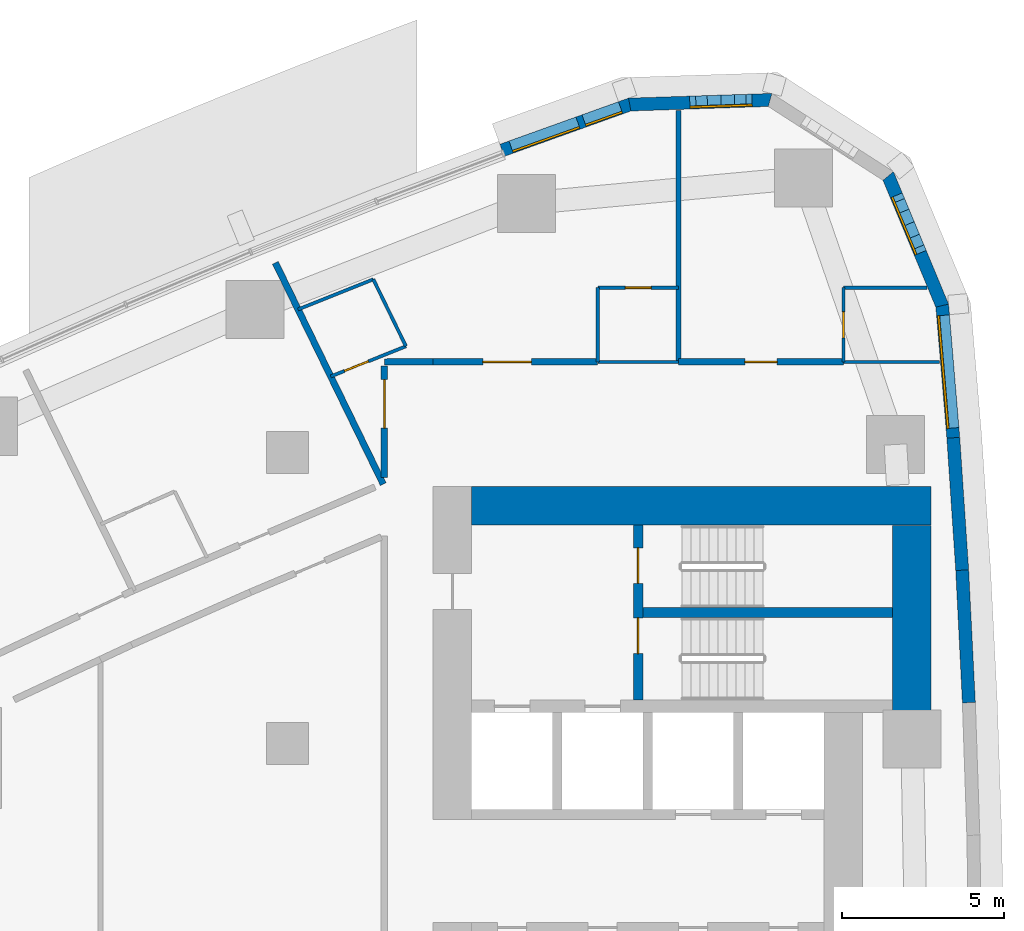
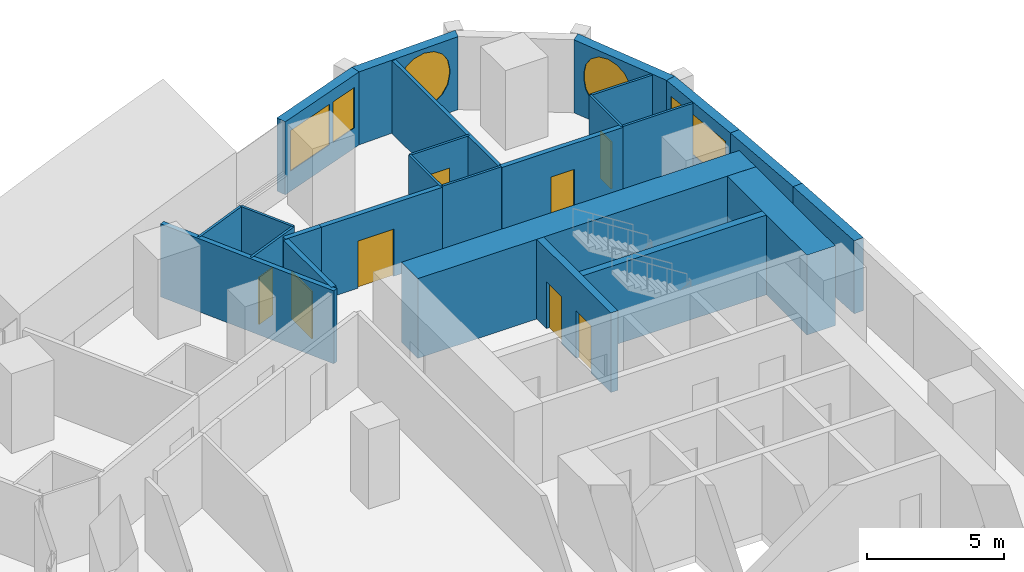
# One storey, part 13 of 19: 25 walls, 8 doors, 5 windows, 13 openings.
"""IFC4 building model written with IfcOpenShell, lengths in metres."""

from ifc_helpers import new_model, si_unit, direction, frame, frame_2d, origin, place, context, subcontext, project, spatial, polyline, rectangle, outline, extrude, material, layer, layer_set, type_object, element, fill, save


model = new_model("IFC4")

# Units and contexts
model_context = context("Model", 3, precision=1e-05, world=origin(), true_north=direction((0.0, 1.0)))
body_context = subcontext(model_context, "Body", "Model", "MODEL_VIEW")
ifc_project = project(units=[si_unit("LENGTHUNIT", "METRE"), si_unit("AREAUNIT", "SQUARE_METRE"), si_unit("VOLUMEUNIT", "CUBIC_METRE"), si_unit("PLANEANGLEUNIT", "RADIAN"), si_unit("MASSUNIT", "GRAM", prefix="KILO")], contexts=[model_context])

# Site, building, storey
site_placement = place(None, origin())
site = spatial("IfcSite", under=ifc_project, at=site_placement, CompositionType="ELEMENT")
building_placement = place(site_placement, origin())
building = spatial("IfcBuilding", under=site, at=building_placement, Name="Ostrand Prow Hotel Tower", CompositionType="ELEMENT")
storey_placement = place(building_placement, frame((0.0, 0.0, 50.25)))
storey = spatial("IfcBuildingStorey", under=building, at=storey_placement, Name="L10", CompositionType="ELEMENT", Elevation=50.25)

# Walls
ifc_material_1 = material(Name="Concrete C80/95", Category="concrete")
ifc_layer_1 = layer(ifc_material_1, 1.199951171875)
ifc_layer_set_1 = layer_set([ifc_layer_1], Name="Concrete C80/95")
wall_type_1 = type_object("IfcWallType", Name="Core wall 1200 C80/95", PredefinedType="SHEAR", material=ifc_layer_set_1)
wall_1_placement = place(storey_placement, frame((50.699951171875, 16.35009765625, 0.0), z_axis=(0.0, 0.0, 1.0), x_axis=(1.0, 0.0, 0.0)))
element("IfcWall", 1, at=wall_1_placement, inside=storey, type_object=wall_type_1, Name="Core wall CW-N", PredefinedType="SHEAR", context=body_context, shape_type="SweptSolid", body=[
    extrude(rectangle(XDim=14.219970703125, YDim=1.199951171875, at=frame_2d((7.10986328125, 0.0))), origin(), (0.0, 0.0, 1.0), 3.550048828125),
])
wall_2_placement = place(storey_placement, frame((64.320068359375, 9.949951171875, 0.0), z_axis=(0.0, 0.0, 1.0), x_axis=(0.0, 1.0, 0.0)))
element("IfcWall", 2, at=wall_2_placement, inside=storey, type_object=wall_type_1, Name="Core wall CW-E-N", PredefinedType="SHEAR", context=body_context, shape_type="SweptSolid", body=[
    extrude(rectangle(XDim=5.800048828125, YDim=1.199951171875, at=frame_2d((2.89990234375, 0.0))), origin(), (0.0, 0.0, 1.0), 3.550048828125),
])

# Wall, openings, doors
ifc_material_2 = material(Name="Concrete C80/95", Category="concrete")
ifc_layer_2 = layer(ifc_material_2, 0.300048828125)
ifc_layer_set_2 = layer_set([ifc_layer_2], Name="Concrete C80/95")
wall_type_2 = type_object("IfcWallType", Name="Core wall 300 C80/95", PredefinedType="SHEAR", material=ifc_layer_set_2)
wall_3_placement = place(storey_placement, frame((55.85009765625, 10.35009765625, 0.0), z_axis=(0.0, 0.0, 1.0), x_axis=(0.0, 1.0, 0.0)))
wall_3 = element("IfcWall", 3, at=wall_3_placement, inside=storey, type_object=wall_type_2, Name="Core wall PW-VN", PredefinedType="SHEAR", context=body_context, shape_type="SweptSolid", body=[
    extrude(rectangle(XDim=5.39990234375, YDim=0.300048828125, at=frame_2d((2.699951171875, 0.0))), origin(), (0.0, 0.0, 1.0), 3.550048828125),
])
opening_1_placement = place(wall_3_placement, frame((1.429931640625, 0.0, 0.0)))
opening_1 = element("IfcOpeningElement", 4, at=opening_1_placement, cuts=wall_3, Name="Opening FD1", PredefinedType="OPENING", context=body_context, shape_type="SweptSolid", body=[
    extrude(rectangle(XDim=1.10009765625, YDim=2.10009765625, at=frame_2d((0.550048828125, 1.050048828125))), frame((0.0, 0.159912109375, 0.0), z_axis=(0.0, -1.0, 0.0), x_axis=(1.0, 0.0, 0.0)), (0.0, 0.0, 1.0), 0.320068359375),
])
opening_2_placement = place(wall_3_placement, frame((3.60009765625, 0.0, 0.0)))
opening_2 = element("IfcOpeningElement", 5, at=opening_2_placement, cuts=wall_3, Name="Opening FD1", PredefinedType="OPENING", context=body_context, shape_type="SweptSolid", body=[
    extrude(rectangle(XDim=1.10009765625, YDim=2.10009765625, at=frame_2d((0.550048828125, 1.050048828125))), frame((0.0, 0.159912109375, 0.0), z_axis=(0.0, -1.0, 0.0), x_axis=(1.0, 0.0, 0.0)), (0.0, 0.0, 1.0), 0.320068359375),
])
ifc_material_3 = material(Name="Steel fire door", Category="steel")
door_type_1 = type_object("IfcDoorType", Name="Fire door 1100 EI120", OperationType="SINGLE_SWING_RIGHT", PredefinedType="DOOR", material=ifc_material_3)
door_1_placement = place(opening_1_placement, origin())
door_1 = element("IfcDoor", 6, at=door_1_placement, inside=storey, type_object=door_type_1, Name="FIRE DOOR", OperationType="SINGLE_SWING_RIGHT", OverallHeight=2.10009765625, OverallWidth=1.10009765625, PredefinedType="DOOR", context=body_context, shape_type="SweptSolid", body=[
    extrude(rectangle(XDim=1.10009765625, YDim=2.10009765625, at=frame_2d((0.550048828125, 1.050048828125))), frame((0.0, 0.02490234375, 0.0), z_axis=(0.0, -1.0, 0.0), x_axis=(1.0, 0.0, 0.0)), (0.0, 0.0, 1.0), 0.050048828125),
])
fill(opening_1, door_1)
door_2_placement = place(opening_2_placement, origin())
door_2 = element("IfcDoor", 7, at=door_2_placement, inside=storey, type_object=door_type_1, Name="FIRE DOOR", OperationType="SINGLE_SWING_RIGHT", OverallHeight=2.10009765625, OverallWidth=1.10009765625, PredefinedType="DOOR", context=body_context, shape_type="SweptSolid", body=[
    extrude(rectangle(XDim=1.10009765625, YDim=2.10009765625, at=frame_2d((0.550048828125, 1.050048828125))), frame((0.0, 0.02490234375, 0.0), z_axis=(0.0, -1.0, 0.0), x_axis=(1.0, 0.0, 0.0)), (0.0, 0.0, 1.0), 0.050048828125),
])
fill(opening_2, door_2)

# Walls
wall_4_placement = place(storey_placement, frame((56.0, 13.050048828125, 0.0), z_axis=(0.0, 0.0, 1.0), x_axis=(1.0, 0.0, 0.0)))
element("IfcWall", 8, at=wall_4_placement, inside=storey, type_object=wall_type_2, Name="Core wall PW-ST13", PredefinedType="SHEAR", context=body_context, shape_type="SweptSolid", body=[
    extrude(rectangle(XDim=7.719970703125, YDim=0.300048828125, at=frame_2d((3.85986328125, 0.0))), origin(), (0.0, 0.0, 1.0), 3.550048828125),
])
ifc_material_4 = material(Name="Plasterboard partition")
ifc_layer_3 = layer(ifc_material_4, 0.10009765625)
ifc_layer_set_3 = layer_set([ifc_layer_3], Name="Plasterboard partition")
wall_type_3 = type_object("IfcWallType", Name="Partition 100 bathroom wall", PredefinedType="PARTITIONING", material=ifc_layer_set_3)
wall_5_placement = place(storey_placement, frame((54.601806640625, 20.800048828125, 0.0), z_axis=(0.0, 0.0, 1.0), x_axis=(0.0, 1.0, 0.0)))
element("IfcWall", 9, at=wall_5_placement, inside=storey, type_object=wall_type_3, Name="BATHROOM WALL", PredefinedType="PARTITIONING", context=body_context, shape_type="SweptSolid", body=[
    extrude(rectangle(XDim=2.300048828125, YDim=0.10009765625, at=frame_2d((1.14990234375, 0.0))), origin(), (0.0, 0.0, 1.0), 3.25),
])

# Wall, opening, door
wall_6_placement = place(storey_placement, frame((54.601806640625, 23.10009765625, 0.0), z_axis=(0.0, 0.0, 1.0), x_axis=(1.0, 0.0, 0.0)))
wall_6 = element("IfcWall", 10, at=wall_6_placement, inside=storey, type_object=wall_type_3, Name="BATHROOM WALL", PredefinedType="PARTITIONING", context=body_context, shape_type="SweptSolid", body=[
    extrude(rectangle(XDim=2.5, YDim=0.10009765625, at=frame_2d((1.25, 0.0))), origin(), (0.0, 0.0, 1.0), 3.25),
])
opening_3_placement = place(wall_6_placement, frame((0.85009765625, 0.0, 0.0)))
opening_3 = element("IfcOpeningElement", 11, at=opening_3_placement, cuts=wall_6, Name="Opening D2", PredefinedType="OPENING", context=body_context, shape_type="SweptSolid", body=[
    extrude(rectangle(XDim=0.800048828125, YDim=2.10009765625, at=frame_2d((0.39990234375, 1.050048828125))), frame((0.0, 0.06005859375, 0.0), z_axis=(0.0, -1.0, 0.0), x_axis=(1.0, 0.0, 0.0)), (0.0, 0.0, 1.0), 0.1201171875),
])
ifc_material_5 = material(Name="Timber door leaf", Category="wood")
door_type_2 = type_object("IfcDoorType", Name="Bathroom door 800", OperationType="SINGLE_SWING_LEFT", PredefinedType="DOOR", material=ifc_material_5)
door_3_placement = place(opening_3_placement, origin())
door_3 = element("IfcDoor", 12, at=door_3_placement, inside=storey, type_object=door_type_2, Name="DOOR", OperationType="SINGLE_SWING_LEFT", OverallHeight=2.10009765625, OverallWidth=0.800048828125, PredefinedType="DOOR", context=body_context, shape_type="SweptSolid", body=[
    extrude(rectangle(XDim=0.800048828125, YDim=2.10009765625, at=frame_2d((0.39990234375, 1.050048828125))), frame((0.0, 0.02490234375, 0.0), z_axis=(0.0, -1.0, 0.0), x_axis=(1.0, 0.0, 0.0)), (0.0, 0.0, 1.0), 0.050048828125),
])
fill(opening_3, door_3)

wall_7_placement = place(storey_placement, frame((62.203369140625, 20.800048828125, 0.0), z_axis=(0.0, 0.0, 1.0), x_axis=(0.0, 1.0, 0.0)))
wall_7 = element("IfcWall", 13, at=wall_7_placement, inside=storey, type_object=wall_type_3, Name="BATHROOM WALL", PredefinedType="PARTITIONING", context=body_context, shape_type="SweptSolid", body=[
    extrude(rectangle(XDim=2.300048828125, YDim=0.10009765625, at=frame_2d((1.14990234375, 0.0))), origin(), (0.0, 0.0, 1.0), 3.25),
])
opening_4_placement = place(wall_7_placement, frame((0.75, 0.0, 0.0)))
opening_4 = element("IfcOpeningElement", 14, at=opening_4_placement, cuts=wall_7, Name="Opening D2", PredefinedType="OPENING", context=body_context, shape_type="SweptSolid", body=[
    extrude(rectangle(XDim=0.800048828125, YDim=2.10009765625, at=frame_2d((0.39990234375, 1.050048828125))), frame((0.0, 0.06005859375, 0.0), z_axis=(0.0, -1.0, 0.0), x_axis=(1.0, 0.0, 0.0)), (0.0, 0.0, 1.0), 0.1201171875),
])
door_4_placement = place(opening_4_placement, origin())
door_4 = element("IfcDoor", 15, at=door_4_placement, inside=storey, type_object=door_type_2, Name="DOOR", OperationType="SINGLE_SWING_LEFT", OverallHeight=2.10009765625, OverallWidth=0.800048828125, PredefinedType="DOOR", context=body_context, shape_type="SweptSolid", body=[
    extrude(rectangle(XDim=0.800048828125, YDim=2.10009765625, at=frame_2d((0.39990234375, 1.050048828125))), frame((0.0, 0.02490234375, 0.0), z_axis=(0.0, -1.0, 0.0), x_axis=(1.0, 0.0, 0.0)), (0.0, 0.0, 1.0), 0.050048828125),
])
fill(opening_4, door_4)

# Walls
wall_8_placement = place(storey_placement, frame((62.203369140625, 23.10009765625, 0.0), z_axis=(0.0, 0.0, 1.0), x_axis=(1.0, 0.0, 0.0)))
element("IfcWall", 16, at=wall_8_placement, inside=storey, type_object=wall_type_3, Name="BATHROOM WALL", PredefinedType="PARTITIONING", context=body_context, shape_type="SweptSolid", body=[
    extrude(rectangle(XDim=2.578125, YDim=0.10009765625, at=frame_2d((1.2890625, 0.0))), origin(), (0.0, 0.0, 1.0), 3.25),
])
wall_9_placement = place(storey_placement, frame((45.327880859375, 22.428466796875, 0.0), z_axis=(0.0, 0.0, 1.0), x_axis=(0.928288495333, 0.371860819975, 0.0)))
element("IfcWall", 17, at=wall_9_placement, inside=storey, type_object=wall_type_3, Name="BATHROOM WALL", PredefinedType="PARTITIONING", context=body_context, shape_type="SweptSolid", body=[
    extrude(rectangle(XDim=2.506591796875, YDim=0.10009765625, at=frame_2d((1.25341796875, 0.0))), origin(), (0.0, 0.0, 1.0), 3.25),
])
wall_10_placement = place(storey_placement, frame((47.65478515625, 23.360595703125, 0.0), z_axis=(0.0, 0.0, 1.0), x_axis=(0.438171240168, -0.898891519756, 0.0)))
element("IfcWall", 18, at=wall_10_placement, inside=storey, type_object=wall_type_3, Name="BATHROOM WALL", PredefinedType="PARTITIONING", context=body_context, shape_type="SweptSolid", body=[
    extrude(rectangle(XDim=2.30615234375, YDim=0.10009765625, at=frame_2d((1.153076171875, 0.0))), origin(), (0.0, 0.0, 1.0), 3.25),
])

# Wall, opening, door
wall_11_placement = place(storey_placement, frame((48.665283203125, 21.28759765625, 0.0), z_axis=(0.0, 0.0, 1.0), x_axis=(-0.928288495333, -0.371860819975, 0.0)))
wall_11 = element("IfcWall", 19, at=wall_11_placement, inside=storey, type_object=wall_type_3, Name="BATHROOM WALL", PredefinedType="PARTITIONING", context=body_context, shape_type="SweptSolid", body=[
    extrude(rectangle(XDim=2.506591796875, YDim=0.10009765625, at=frame_2d((1.25341796875, 0.0))), origin(), (0.0, 0.0, 1.0), 3.25),
])
opening_5_placement = place(wall_11_placement, frame((1.25, 0.0, 0.0)))
opening_5 = element("IfcOpeningElement", 20, at=opening_5_placement, cuts=wall_11, Name="Opening D2", PredefinedType="OPENING", context=body_context, shape_type="SweptSolid", body=[
    extrude(rectangle(XDim=0.800048828125, YDim=2.10009765625, at=frame_2d((0.39990234375, 1.050048828125))), frame((0.0, 0.06005859375, 0.0), z_axis=(0.0, -1.0, 0.0), x_axis=(1.0, 0.0, 0.0)), (0.0, 0.0, 1.0), 0.1201171875),
])
door_5_placement = place(opening_5_placement, origin())
door_5 = element("IfcDoor", 21, at=door_5_placement, inside=storey, type_object=door_type_2, Name="DOOR", OperationType="SINGLE_SWING_LEFT", OverallHeight=2.10009765625, OverallWidth=0.800048828125, PredefinedType="DOOR", context=body_context, shape_type="SweptSolid", body=[
    extrude(rectangle(XDim=0.800048828125, YDim=2.10009765625, at=frame_2d((0.39990234375, 1.050048828125))), frame((0.0, 0.02490234375, 0.0), z_axis=(0.0, -1.0, 0.0), x_axis=(1.0, 0.0, 0.0)), (0.0, 0.0, 1.0), 0.050048828125),
])
fill(opening_5, door_5)

# Walls
wall_12_placement = place(storey_placement, frame((57.101806640625, 20.804931640625, 0.0), z_axis=(0.0, 0.0, 1.0), x_axis=(-1.0, 0.0, 0.0)))
element("IfcWall", 22, at=wall_12_placement, inside=storey, type_object=wall_type_3, Name="BATHROOM WALL", PredefinedType="PARTITIONING", context=body_context, shape_type="SweptSolid", body=[
    extrude(rectangle(XDim=2.5, YDim=0.10009765625, at=frame_2d((1.25, 0.0))), origin(), (0.0, 0.0, 1.0), 3.25),
])
wall_13_placement = place(storey_placement, frame((65.174560546875, 20.804931640625, 0.0), z_axis=(0.0, 0.0, 1.0), x_axis=(-1.0, 0.0, 0.0)))
element("IfcWall", 23, at=wall_13_placement, inside=storey, type_object=wall_type_3, Name="BATHROOM WALL", PredefinedType="PARTITIONING", context=body_context, shape_type="SweptSolid", body=[
    extrude(rectangle(XDim=2.97119140625, YDim=0.10009765625, at=frame_2d((1.485595703125, 0.0))), origin(), (0.0, 0.0, 1.0), 3.25),
])
ifc_material_6 = material(Name="Plasterboard partition")
ifc_layer_4 = layer(ifc_material_6, 0.14990234375)
ifc_layer_set_4 = layer_set([ifc_layer_4], Name="Plasterboard partition")
wall_type_4 = type_object("IfcWallType", Name="Partition 150 room partition", PredefinedType="PARTITIONING", material=ifc_layer_set_4)
wall_14_placement = place(storey_placement, frame((57.101806640625, 20.800048828125, 0.0), z_axis=(0.0, 0.0, 1.0), x_axis=(0.0, 1.0, 0.0)))
element("IfcWall", 24, at=wall_14_placement, inside=storey, type_object=wall_type_4, Name="ROOM PARTITION", PredefinedType="PARTITIONING", context=body_context, shape_type="SweptSolid", body=[
    extrude(rectangle(XDim=7.786865234375, YDim=0.14990234375, at=frame_2d((3.8935546875, 0.0))), origin(), (0.0, 0.0, 1.0), 3.25),
])

# Wall, opening, door
ifc_material_7 = material(Name="Plasterboard partition")
ifc_layer_5 = layer(ifc_material_7, 0.199951171875)
ifc_layer_set_5 = layer_set([ifc_layer_5], Name="Plasterboard partition")
wall_type_5 = type_object("IfcWallType", Name="Partition 200 corridor wall", PredefinedType="PARTITIONING", material=ifc_layer_set_5)
wall_15_placement = place(storey_placement, frame((54.5966796875, 20.804931640625, 0.0), z_axis=(0.0, 0.0, 1.0), x_axis=(-1.0, 0.0, 0.0)))
wall_15 = element("IfcWall", 25, at=wall_15_placement, inside=storey, type_object=wall_type_5, Name="CORRIDOR WALL", PredefinedType="PARTITIONING", context=body_context, shape_type="SweptSolid", body=[
    extrude(rectangle(XDim=5.0966796875, YDim=0.199951171875, at=frame_2d((2.54833984375, 0.0))), origin(), (0.0, 0.0, 1.0), 3.25),
])
opening_6_placement = place(wall_15_placement, frame((2.04833984375, 0.0, 0.0)))
opening_6 = element("IfcOpeningElement", 26, at=opening_6_placement, cuts=wall_15, Name="Opening D15", PredefinedType="OPENING", context=body_context, shape_type="SweptSolid", body=[
    extrude(rectangle(XDim=1.5, YDim=2.10009765625, at=frame_2d((0.75, 1.050048828125))), frame((0.0, 0.10986328125, 0.0), z_axis=(0.0, -1.0, 0.0), x_axis=(1.0, 0.0, 0.0)), (0.0, 0.0, 1.0), 0.219970703125),
])
ifc_material_8 = material(Name="Timber door leaf", Category="wood")
door_type_3 = type_object("IfcDoorType", Name="Double door 1500", OperationType="DOUBLE_DOOR_SINGLE_SWING", PredefinedType="DOOR", material=ifc_material_8)
door_6_placement = place(opening_6_placement, origin())
door_6 = element("IfcDoor", 27, at=door_6_placement, inside=storey, type_object=door_type_3, Name="DOOR", OperationType="DOUBLE_DOOR_SINGLE_SWING", OverallHeight=2.10009765625, OverallWidth=1.5, PredefinedType="DOOR", context=body_context, shape_type="SweptSolid", body=[
    extrude(rectangle(XDim=1.5, YDim=2.10009765625, at=frame_2d((0.75, 1.050048828125))), frame((0.0, 0.02490234375, 0.0), z_axis=(0.0, -1.0, 0.0), x_axis=(1.0, 0.0, 0.0)), (0.0, 0.0, 1.0), 0.050048828125),
])
fill(opening_6, door_6)

wall_16_placement = place(storey_placement, frame((62.1982421875, 20.804931640625, 0.0), z_axis=(0.0, 0.0, 1.0), x_axis=(-1.0, 0.0, 0.0)))
wall_16 = element("IfcWall", 28, at=wall_16_placement, inside=storey, type_object=wall_type_5, Name="CORRIDOR WALL", PredefinedType="PARTITIONING", context=body_context, shape_type="SweptSolid", body=[
    extrude(rectangle(XDim=5.091552734375, YDim=0.199951171875, at=frame_2d((2.5458984375, 0.0))), origin(), (0.0, 0.0, 1.0), 3.25),
])
opening_7_placement = place(wall_16_placement, frame((2.0458984375, 0.0, 0.0)))
opening_7 = element("IfcOpeningElement", 29, at=opening_7_placement, cuts=wall_16, Name="Opening D1", PredefinedType="OPENING", context=body_context, shape_type="SweptSolid", body=[
    extrude(rectangle(XDim=1.0, YDim=2.10009765625, at=frame_2d((0.5, 1.050048828125))), frame((0.0, 0.10986328125, 0.0), z_axis=(0.0, -1.0, 0.0), x_axis=(1.0, 0.0, 0.0)), (0.0, 0.0, 1.0), 0.219970703125),
])
ifc_material_9 = material(Name="Timber door leaf", Category="wood")
door_type_4 = type_object("IfcDoorType", Name="Guest room door 1000", OperationType="SINGLE_SWING_LEFT", PredefinedType="DOOR", material=ifc_material_9)
door_7_placement = place(opening_7_placement, origin())
door_7 = element("IfcDoor", 30, at=door_7_placement, inside=storey, type_object=door_type_4, Name="DOOR", OperationType="SINGLE_SWING_LEFT", OverallHeight=2.10009765625, OverallWidth=1.0, PredefinedType="DOOR", context=body_context, shape_type="SweptSolid", body=[
    extrude(rectangle(XDim=1.0, YDim=2.10009765625, at=frame_2d((0.5, 1.050048828125))), frame((0.0, 0.02490234375, 0.0), z_axis=(0.0, -1.0, 0.0), x_axis=(1.0, 0.0, 0.0)), (0.0, 0.0, 1.0), 0.050048828125),
])
fill(opening_7, door_7)

# Wall
wall_17_placement = place(storey_placement, frame((49.5, 20.804931640625, 0.0), z_axis=(0.0, 0.0, 1.0), x_axis=(-0.999998104399, -0.001947099992, 0.0)))
element("IfcWall", 31, at=wall_17_placement, inside=storey, type_object=wall_type_5, Name="CORRIDOR WALL", PredefinedType="PARTITIONING", context=body_context, shape_type="SweptSolid", body=[
    extrude(rectangle(XDim=1.504638671875, YDim=0.199951171875, at=frame_2d((0.75244140625, 0.0))), origin(), (0.0, 0.0, 1.0), 3.25),
])

# Wall, opening, door
wall_18_placement = place(storey_placement, frame((47.99560546875, 20.681884765625, 0.0), z_axis=(0.0, 0.0, 1.0), x_axis=(0.000847217996, -0.999999641111, 0.0)))
wall_18 = element("IfcWall", 32, at=wall_18_placement, inside=storey, type_object=wall_type_5, Name="CORRIDOR WALL", PredefinedType="PARTITIONING", context=body_context, shape_type="SweptSolid", body=[
    extrude(rectangle(XDim=3.4580078125, YDim=0.199951171875, at=frame_2d((1.72900390625, 0.0))), origin(), (0.0, 0.0, 1.0), 3.25),
])
opening_8_placement = place(wall_18_placement, frame((0.428955078125, 0.0, 0.0)))
opening_8 = element("IfcOpeningElement", 33, at=opening_8_placement, cuts=wall_18, Name="Opening D15", PredefinedType="OPENING", context=body_context, shape_type="SweptSolid", body=[
    extrude(rectangle(XDim=1.5, YDim=2.10009765625, at=frame_2d((0.75, 1.050048828125))), frame((0.0, 0.10986328125, 0.0), z_axis=(0.0, -1.0, 0.0), x_axis=(1.0, 0.0, 0.0)), (0.0, 0.0, 1.0), 0.219970703125),
])
door_8_placement = place(opening_8_placement, origin())
door_8 = element("IfcDoor", 34, at=door_8_placement, inside=storey, type_object=door_type_3, Name="DOOR", OperationType="DOUBLE_DOOR_SINGLE_SWING", OverallHeight=2.10009765625, OverallWidth=1.5, PredefinedType="DOOR", context=body_context, shape_type="SweptSolid", body=[
    extrude(rectangle(XDim=1.5, YDim=2.10009765625, at=frame_2d((0.75, 1.050048828125))), frame((0.0, 0.02490234375, 0.0), z_axis=(0.0, -1.0, 0.0), x_axis=(1.0, 0.0, 0.0)), (0.0, 0.0, 1.0), 0.050048828125),
])
fill(opening_8, door_8)

# Walls
ifc_material_10 = material(Name="Plasterboard partition")
ifc_layer_6 = layer(ifc_material_10, 0.199951171875)
ifc_layer_set_6 = layer_set([ifc_layer_6], Name="Plasterboard partition")
wall_type_6 = type_object("IfcWallType", Name="Partition 200 key partition", PredefinedType="PARTITIONING", material=ifc_layer_set_6)
wall_19_placement = place(storey_placement, frame((47.964111328125, 17.02099609375, 0.0), z_axis=(0.0, 0.0, 1.0), x_axis=(-0.438207101073, 0.898874038211, 0.0)))
element("IfcWall", 35, at=wall_19_placement, inside=storey, type_object=wall_type_6, Name="KEY PARTITION", PredefinedType="PARTITIONING", context=body_context, shape_type="SweptSolid", body=[
    extrude(rectangle(XDim=7.619873046875, YDim=0.199951171875, at=frame_2d((3.81005859375, 0.0))), origin(), (0.0, 0.0, 1.0), 3.25),
])
ifc_material_11 = material(Name="Precast concrete C40/50", Category="concrete")
ifc_layer_7 = layer(ifc_material_11, 0.39990234375)
ifc_layer_set_7 = layer_set([ifc_layer_7], Name="Precast concrete C40/50")
wall_type_7 = type_object("IfcWallType", Name="Stone-faced precast wall 400 mm", PredefinedType="NOTDEFINED", material=ifc_layer_set_7)
for number, where, z_axis, x_axis, name in (
    (36, (66.084716796875, 10.259765625, 0.0), (0.0, 0.0, 1.0), (-0.050314326423, 0.998733432181, 0.0), "Stone-faced wall back 13"),
    (37, (65.878173828125, 14.359619140625, 0.0), (0.0, 0.0, 1.0), (-0.067087430225, 0.997747100575, 0.0), "Stone-faced wall back 14"),
):
    element("IfcWall", number, at=place(storey_placement, frame(where, z_axis=z_axis, x_axis=x_axis)), inside=storey, type_object=wall_type_7, Name=name, PredefinedType="NOTDEFINED", context=body_context, shape_type="SweptSolid", body=[
        extrude(outline(polyline([(-0.001708984375, -0.199951171875), (4.106689453125, -0.199951171875), (4.103271484375, 0.199951171875), (0.001708984375, 0.199951171875), (-0.001708984375, -0.199951171875)])), origin(), (0.0, 0.0, 1.0), 3.25),
    ])

# Wall, opening, window
wall_20_placement = place(storey_placement, frame((65.602783203125, 18.455322265625, 0.0), z_axis=(0.0, 0.0, 1.0), x_axis=(-0.083793550906, 0.996483136248, 0.0)))
wall_20 = element("IfcWall", 38, at=wall_20_placement, inside=storey, type_object=wall_type_7, Name="Stone-faced wall back 15", PredefinedType="NOTDEFINED", context=body_context, shape_type="SweptSolid", body=[
    extrude(outline(polyline([(-0.001708984375, -0.199951171875), (4.136474609375, -0.199951171875), (4.073974609375, 0.199951171875), (0.001708984375, 0.199951171875), (-0.001708984375, -0.199951171875)])), origin(), (0.0, 0.0, 1.0), 3.25),
])
opening_9_placement = place(wall_20_placement, frame((0.302490234375, 0.0, 0.89990234375)))
opening_9 = element("IfcOpeningElement", 39, at=opening_9_placement, cuts=wall_20, Name="Opening WS3-35", PredefinedType="OPENING", context=body_context, shape_type="SweptSolid", body=[
    extrude(rectangle(XDim=3.5, YDim=1.800048828125, at=frame_2d((1.75, 0.89990234375))), frame((0.0, 0.2099609375, 0.0), z_axis=(0.0, -1.0, 0.0), x_axis=(1.0, 0.0, 0.0)), (0.0, 0.0, 1.0), 0.419921875),
])
ifc_material_12 = material(Name="Insulated glass in bronze frame", Category="glass")
window_type_1 = type_object("IfcWindowType", Name="Strip window 3500x1800", PartitioningType="SINGLE_PANEL", PredefinedType="WINDOW", material=ifc_material_12)
window_1_placement = place(opening_9_placement, origin())
window_1 = element("IfcWindow", 40, at=window_1_placement, inside=storey, type_object=window_type_1, Name="Window back 15.1", OverallHeight=1.800048828125, OverallWidth=3.5, PartitioningType="SINGLE_PANEL", PredefinedType="WINDOW", context=body_context, shape_type="SweptSolid", body=[
    extrude(rectangle(XDim=3.5, YDim=1.800048828125, at=frame_2d((1.75, 0.89990234375))), frame((0.0, 0.169921875, 0.0), z_axis=(0.0, -1.0, 0.0), x_axis=(1.0, 0.0, 0.0)), (0.0, 0.0, 1.0), 0.06005859375),
])
fill(opening_9, window_1)

wall_21_placement = place(storey_placement, frame((65.2587890625, 22.546142578125, 0.0), z_axis=(0.0, 0.0, 1.0), x_axis=(-0.384372042685, 0.923178277908, 0.0)))
wall_21 = element("IfcWall", 41, at=wall_21_placement, inside=storey, type_object=wall_type_7, Name="Stone-faced wall back 16", PredefinedType="NOTDEFINED", context=body_context, shape_type="SweptSolid", body=[
    extrude(outline(polyline([(-0.03125, -0.199951171875), (4.408203125, -0.199951171875), (4.283203125, 0.199951171875), (0.03125, 0.199951171875), (-0.03125, -0.199951171875)])), origin(), (0.0, 0.0, 1.0), 3.25),
])
opening_10_placement = place(wall_21_placement, frame((1.630615234375, 0.0, 0.60009765625)))
opening_10 = element("IfcOpeningElement", 42, at=opening_10_placement, cuts=wall_21, Name="Opening WP1", PredefinedType="OPENING", context=body_context, shape_type="SweptSolid", body=[
    extrude(outline(polyline([(0.0, 1.35009765625), (0.083740234375, 1.77099609375), (0.322265625, 2.127685546875), (0.678955078125, 2.3662109375), (1.10009765625, 2.449951171875), (1.52099609375, 2.3662109375), (1.877685546875, 2.127685546875), (2.1162109375, 1.77099609375), (2.199951171875, 1.35009765625), (2.199951171875, 1.10009765625), (2.1162109375, 0.678955078125), (1.877685546875, 0.322265625), (1.52099609375, 0.083740234375), (1.10009765625, 0.0), (0.678955078125, 0.083740234375), (0.322265625, 0.322265625), (0.083740234375, 0.678955078125), (0.0, 1.099853515625), (0.0, 1.35009765625)])), frame((0.0, 0.2099609375, 0.0), z_axis=(0.0, -1.0, 0.0), x_axis=(1.0, 0.0, 0.0)), (0.0, 0.0, 1.0), 0.419921875),
])
ifc_material_13 = material(Name="Insulated glass in bronze frame", Category="glass")
window_type_2 = type_object("IfcWindowType", Name="Round-ended prow window 2200x2450", PartitioningType="SINGLE_PANEL", PredefinedType="WINDOW", material=ifc_material_13)
window_2_placement = place(opening_10_placement, origin())
window_2 = element("IfcWindow", 43, at=window_2_placement, inside=storey, type_object=window_type_2, Name="Window back 16.1", OverallHeight=2.449951171875, OverallWidth=2.199951171875, PartitioningType="SINGLE_PANEL", PredefinedType="WINDOW", context=body_context, shape_type="SweptSolid", body=[
    extrude(outline(polyline([(0.0, 1.35009765625), (0.083740234375, 1.77099609375), (0.322265625, 2.127685546875), (0.678955078125, 2.3662109375), (1.10009765625, 2.449951171875), (1.52099609375, 2.3662109375), (1.877685546875, 2.127685546875), (2.1162109375, 1.77099609375), (2.199951171875, 1.35009765625), (2.199951171875, 1.10009765625), (2.1162109375, 0.678955078125), (1.877685546875, 0.322265625), (1.52099609375, 0.083740234375), (1.10009765625, 0.0), (0.678955078125, 0.083740234375), (0.322265625, 0.322265625), (0.083740234375, 0.678955078125), (0.0, 1.099853515625), (0.0, 1.35009765625)])), frame((0.0, 0.169921875, 0.0), z_axis=(0.0, -1.0, 0.0), x_axis=(1.0, 0.0, 0.0)), (0.0, 0.0, 1.0), 0.06005859375),
])
fill(opening_10, window_2)

wall_22_placement = place(storey_placement, frame((59.93359375, 28.909912109375, 0.0), z_axis=(0.0, 0.0, 1.0), x_axis=(-0.999463576228, -0.032749958686, 0.0)))
wall_22 = element("IfcWall", 44, at=wall_22_placement, inside=storey, type_object=wall_type_7, Name="Stone-faced wall back 18", PredefinedType="NOTDEFINED", context=body_context, shape_type="SweptSolid", body=[
    extrude(outline(polyline([(-0.0625, -0.199951171875), (4.377685546875, -0.199951171875), (4.314697265625, 0.199951171875), (0.0625, 0.199951171875), (-0.0625, -0.199951171875)])), origin(), (0.0, 0.0, 1.0), 3.25),
])
opening_11_placement = place(wall_22_placement, frame((0.421875, 0.0, 0.60009765625)))
opening_11 = element("IfcOpeningElement", 45, at=opening_11_placement, cuts=wall_22, Name="Opening WP1", PredefinedType="OPENING", context=body_context, shape_type="SweptSolid", body=[
    extrude(outline(polyline([(0.0, 1.35009765625), (0.083740234375, 1.77099609375), (0.322265625, 2.127685546875), (0.678955078125, 2.3662109375), (1.10009765625, 2.449951171875), (1.52099609375, 2.3662109375), (1.877685546875, 2.127685546875), (2.1162109375, 1.77099609375), (2.199951171875, 1.35009765625), (2.199951171875, 1.10009765625), (2.1162109375, 0.678955078125), (1.877685546875, 0.322265625), (1.52099609375, 0.083740234375), (1.10009765625, 0.0), (0.678955078125, 0.083740234375), (0.322265625, 0.322265625), (0.083740234375, 0.678955078125), (0.0, 1.099853515625), (0.0, 1.35009765625)])), frame((0.0, 0.2099609375, 0.0), z_axis=(0.0, -1.0, 0.0), x_axis=(1.0, 0.0, 0.0)), (0.0, 0.0, 1.0), 0.419921875),
])
window_3_placement = place(opening_11_placement, origin())
window_3 = element("IfcWindow", 46, at=window_3_placement, inside=storey, type_object=window_type_2, Name="Window back 18.1", OverallHeight=2.449951171875, OverallWidth=2.199951171875, PartitioningType="SINGLE_PANEL", PredefinedType="WINDOW", context=body_context, shape_type="SweptSolid", body=[
    extrude(outline(polyline([(0.0, 1.35009765625), (0.083740234375, 1.77099609375), (0.322265625, 2.127685546875), (0.678955078125, 2.3662109375), (1.10009765625, 2.449951171875), (1.52099609375, 2.3662109375), (1.877685546875, 2.127685546875), (2.1162109375, 1.77099609375), (2.199951171875, 1.35009765625), (2.199951171875, 1.10009765625), (2.1162109375, 0.678955078125), (1.877685546875, 0.322265625), (1.52099609375, 0.083740234375), (1.10009765625, 0.0), (0.678955078125, 0.083740234375), (0.322265625, 0.322265625), (0.083740234375, 0.678955078125), (0.0, 1.099853515625), (0.0, 1.35009765625)])), frame((0.0, 0.169921875, 0.0), z_axis=(0.0, -1.0, 0.0), x_axis=(1.0, 0.0, 0.0)), (0.0, 0.0, 1.0), 0.06005859375),
])
fill(opening_11, window_3)

# Wall, openings, windows
wall_23_placement = place(storey_placement, frame((55.58984375, 28.767578125, 0.0), z_axis=(0.0, 0.0, 1.0), x_axis=(-0.941339752885, -0.337460323057, 0.0)))
wall_23 = element("IfcWall", 47, at=wall_23_placement, inside=storey, type_object=wall_type_7, Name="Stone-faced wall back 19", PredefinedType="NOTDEFINED", context=body_context, shape_type="SweptSolid", body=[
    extrude(outline(polyline([(-0.031494140625, -0.199951171875), (4.196044921875, -0.199951171875), (4.196044921875, 0.199951171875), (0.031494140625, 0.199951171875), (-0.031494140625, -0.199951171875)])), origin(), (0.0, 0.0, 1.0), 3.25),
])
opening_12_placement = place(wall_23_placement, frame((0.298095703125, 0.0, 0.89990234375)))
opening_12 = element("IfcOpeningElement", 48, at=opening_12_placement, cuts=wall_23, Name="Opening WS4", PredefinedType="OPENING", context=body_context, shape_type="SweptSolid", body=[
    extrude(rectangle(XDim=1.199951171875, YDim=1.800048828125, at=frame_2d((0.60009765625, 0.89990234375))), frame((0.0, 0.2099609375, 0.0), z_axis=(0.0, -1.0, 0.0), x_axis=(1.0, 0.0, 0.0)), (0.0, 0.0, 1.0), 0.419921875),
])
opening_13_placement = place(wall_23_placement, frame((1.697998046875, 0.0, 0.89990234375)))
opening_13 = element("IfcOpeningElement", 49, at=opening_13_placement, cuts=wall_23, Name="Opening WS5-22", PredefinedType="OPENING", context=body_context, shape_type="SweptSolid", body=[
    extrude(rectangle(XDim=2.199951171875, YDim=1.800048828125, at=frame_2d((1.10009765625, 0.89990234375))), frame((0.0, 0.2099609375, 0.0), z_axis=(0.0, -1.0, 0.0), x_axis=(1.0, 0.0, 0.0)), (0.0, 0.0, 1.0), 0.419921875),
])
ifc_material_14 = material(Name="Insulated glass in bronze frame", Category="glass")
window_type_3 = type_object("IfcWindowType", Name="Fixed strip window 2200x1800", PartitioningType="SINGLE_PANEL", PredefinedType="WINDOW", material=ifc_material_14)
window_4_placement = place(opening_13_placement, origin())
window_4 = element("IfcWindow", 50, at=window_4_placement, inside=storey, type_object=window_type_3, Name="Window back 19.2", OverallHeight=1.800048828125, OverallWidth=2.199951171875, PartitioningType="SINGLE_PANEL", PredefinedType="WINDOW", context=body_context, shape_type="SweptSolid", body=[
    extrude(rectangle(XDim=2.199951171875, YDim=1.800048828125, at=frame_2d((1.10009765625, 0.89990234375))), frame((0.0, 0.169921875, 0.0), z_axis=(0.0, -1.0, 0.0), x_axis=(1.0, 0.0, 0.0)), (0.0, 0.0, 1.0), 0.06005859375),
])
fill(opening_13, window_4)
ifc_material_15 = material(Name="Insulated glass in bronze frame", Category="glass")
window_type_4 = type_object("IfcWindowType", Name="Operable strip panel 1200x1800", PartitioningType="SINGLE_PANEL", PredefinedType="WINDOW", material=ifc_material_15)
window_5_placement = place(opening_12_placement, origin())
window_5 = element("IfcWindow", 51, at=window_5_placement, inside=storey, type_object=window_type_4, Name="Window back 19.1", OverallHeight=1.800048828125, OverallWidth=1.199951171875, PartitioningType="SINGLE_PANEL", PredefinedType="WINDOW", context=body_context, shape_type="SweptSolid", body=[
    extrude(rectangle(XDim=1.199951171875, YDim=1.800048828125, at=frame_2d((0.60009765625, 0.89990234375))), frame((0.0, 0.169921875, 0.0), z_axis=(0.0, -1.0, 0.0), x_axis=(1.0, 0.0, 0.0)), (0.0, 0.0, 1.0), 0.06005859375),
])
fill(opening_12, window_5)

save(model, "model.ifc")
